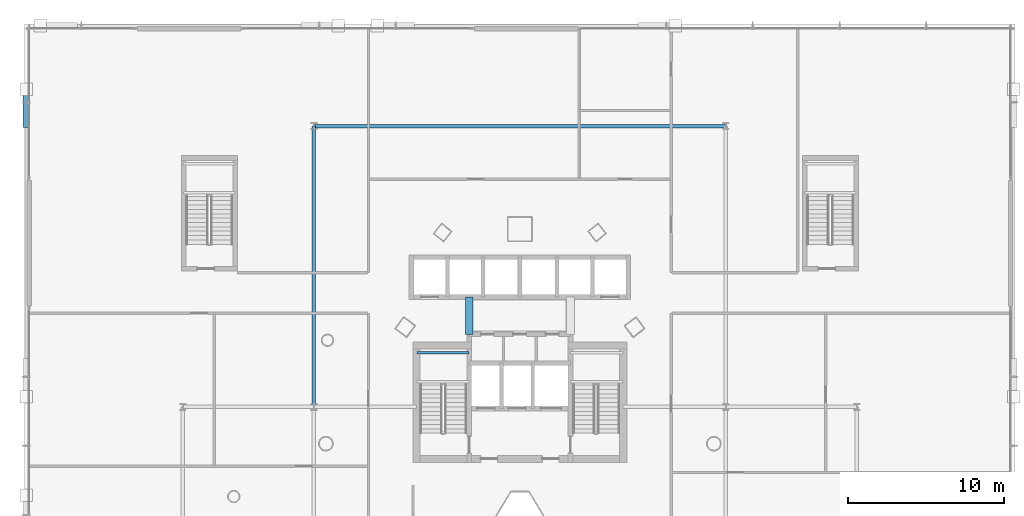
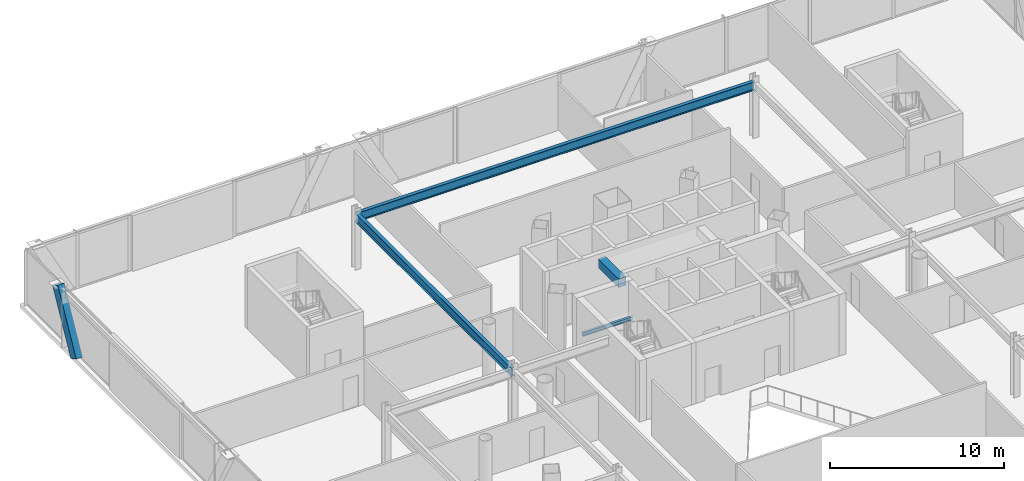
# One storey, part 25 of 46: 4 beams, 1 member.
"""IFC4 building model written with IfcOpenShell, lengths in metres."""

from ifc_helpers import new_model, si_unit, direction, frame, origin, origin_2d, place, context, subcontext, project, spatial, rectangle, hollow_rectangle, i_section, extrude, material, material_profile, profile_set, type_object, element, save


model = new_model("IFC4")

# Units and contexts
model_context = context("Model", 3, precision=1e-05, world=origin(), true_north=direction((0.0, 1.0)))
body_context = subcontext(model_context, "Body", "Model", "MODEL_VIEW")
ifc_project = project(units=[si_unit("LENGTHUNIT", "METRE"), si_unit("AREAUNIT", "SQUARE_METRE"), si_unit("VOLUMEUNIT", "CUBIC_METRE"), si_unit("PLANEANGLEUNIT", "RADIAN"), si_unit("MASSUNIT", "GRAM", prefix="KILO")], contexts=[model_context])

# Site, building, storey
site_placement = place(None, origin())
site = spatial("IfcSite", under=ifc_project, at=site_placement, CompositionType="ELEMENT")
building_placement = place(site_placement, origin())
building = spatial("IfcBuilding", under=site, at=building_placement, Name="Orvanel Arch Residences", CompositionType="ELEMENT")
storey_placement = place(building_placement, frame((0.0, 0.0, 14.10009765625)))
storey = spatial("IfcBuildingStorey", under=building, at=storey_placement, Name="L03", CompositionType="ELEMENT", Elevation=14.10009765625)

# Beams
ifc_material_1 = material(Name="Structural steel AS/NZS 3679.1 Grade 300 (300 MPa)", Category="steel")
ifc_material_profile_1 = material_profile(ifc_material_1, i_section(OverallWidth=0.22900390625, OverallDepth=0.612060546875, WebThickness=0.011962890625, FlangeThickness=0.01953125, at=origin_2d()), Name="610UB125")
ifc_profile_set_1 = profile_set([ifc_material_profile_1], Name="Structural steel AS/NZS 3679.1 Grade 300 (300 MPa)")
beam_type_1 = type_object("IfcBeamType", Name="BG-610UB", PredefinedType="BEAM", material=ifc_profile_set_1)
beam_1_placement = place(storey_placement, frame((19.800048828125, 48.0, 3.593994140625), z_axis=(1.0, 0.0, 0.0), x_axis=(0.0, 1.0, 0.0)))
element("IfcBeam", 1, at=beam_1_placement, inside=storey, type_object=beam_type_1, Name="L03 BG-610UB beam", PredefinedType="BEAM", context=body_context, shape_type="SweptSolid", body=[
    extrude(i_section(OverallWidth=0.22900390625, OverallDepth=0.612060546875, WebThickness=0.011962890625, FlangeThickness=0.01953125, at=origin_2d()), origin(), (0.0, 0.0, 1.0), 26.39990234375),
])
beam_2_placement = place(storey_placement, frame((19.800048828125, 30.0, 3.593994140625), z_axis=(0.0, 1.0, 0.0), x_axis=(-1.0, 0.0, 0.0)))
element("IfcBeam", 2, at=beam_2_placement, inside=storey, type_object=beam_type_1, Name="L03 North-South Podium Girder XW20-N", PredefinedType="BEAM", context=body_context, shape_type="SweptSolid", body=[
    extrude(i_section(OverallWidth=0.22900390625, OverallDepth=0.612060546875, WebThickness=0.011962890625, FlangeThickness=0.01953125, at=origin_2d()), origin(), (0.0, 0.0, 1.0), 18.0),
])
ifc_material_profile_2 = material_profile(ifc_material_1, i_section(OverallWidth=0.14599609375, OverallDepth=0.251953125, WebThickness=0.006103515625, FlangeThickness=0.008544921875, at=origin_2d()), Name="250UB31.4")
ifc_profile_set_2 = profile_set([ifc_material_profile_2], Name="Structural steel AS/NZS 3679.1 Grade 300 (300 MPa)")
beam_type_2 = type_object("IfcBeamType", Name="BJ-250UB", PredefinedType="JOIST", material=ifc_profile_set_2)
beam_3_placement = place(storey_placement, frame((26.39990234375, 33.47998046875, 1.823974609375), z_axis=(1.0, 0.0, 0.0), x_axis=(0.0, 1.0, 0.0)))
element("IfcBeam", 3, at=beam_3_placement, inside=storey, type_object=beam_type_2, Name="L03 ST-1 Half-Landing Support Beam 1.2", PredefinedType="JOIST", context=body_context, shape_type="SweptSolid", body=[
    extrude(i_section(OverallWidth=0.14599609375, OverallDepth=0.251953125, WebThickness=0.006103515625, FlangeThickness=0.008544921875, at=origin_2d()), origin(), (0.0, 0.0, 1.0), 3.35009765625),
])

# Member
ifc_material_2 = material(Name="Structural steel AS/NZS 3678 Grade 350", Category="steel")
ifc_material_profile_3 = material_profile(ifc_material_2, hollow_rectangle(XDim=0.419921875, YDim=0.719970703125, WallThickness=0.02490234375, at=origin_2d()), Name="RHS720x420x25")
ifc_profile_set_3 = profile_set([ifc_material_profile_3], Name="Structural steel AS/NZS 3678 Grade 350")
member_type = type_object("IfcMemberType", Name="BR-720RHS-EXT", PredefinedType="BRACE", material=ifc_profile_set_3)
member_placement = place(storey_placement, frame((1.360107421875, 48.216064453125, 0.0), z_axis=(0.0, 0.480032945873, 0.877250460745), x_axis=(-1.0, 0.0, 0.0)))
element("IfcMember", 4, at=member_placement, inside=storey, type_object=member_type, Name="L03 Podium Multi-Storey V-Strut Pair W2 Leg 2", PredefinedType="BRACE", context=body_context, shape_type="SweptSolid", body=[
    extrude(hollow_rectangle(XDim=0.419921875, YDim=0.719970703125, WallThickness=0.02490234375, at=origin_2d()), origin(), (0.0, 0.0, 1.0), 4.445556640625),
])

# Beam
ifc_material_3 = material(Name="Concrete S65 (65 MPa)", Category="concrete")
ifc_material_profile_4 = material_profile(ifc_material_3, rectangle(XDim=0.5, YDim=0.60009765625, at=origin_2d()), Name="RC500x600")
ifc_profile_set_4 = profile_set([ifc_material_profile_4], Name="Concrete S65 (65 MPa)")
beam_type_3 = type_object("IfcBeamType", Name="CB-500x600", PredefinedType="LINTEL", material=ifc_profile_set_4)
beam_4_placement = place(storey_placement, frame((29.75, 34.64990234375, 3.599853515625), z_axis=(0.0, 1.0, 0.0), x_axis=(-1.0, 0.0, 0.0)))
element("IfcBeam", 5, at=beam_4_placement, inside=storey, type_object=beam_type_3, Name="L03 West Core Lobby Coupling Lintel Beam", PredefinedType="LINTEL", context=body_context, shape_type="SweptSolid", body=[
    extrude(rectangle(XDim=0.5, YDim=0.60009765625, at=origin_2d()), origin(), (0.0, 0.0, 1.0), 2.400146484375),
])

save(model, "model.ifc")
